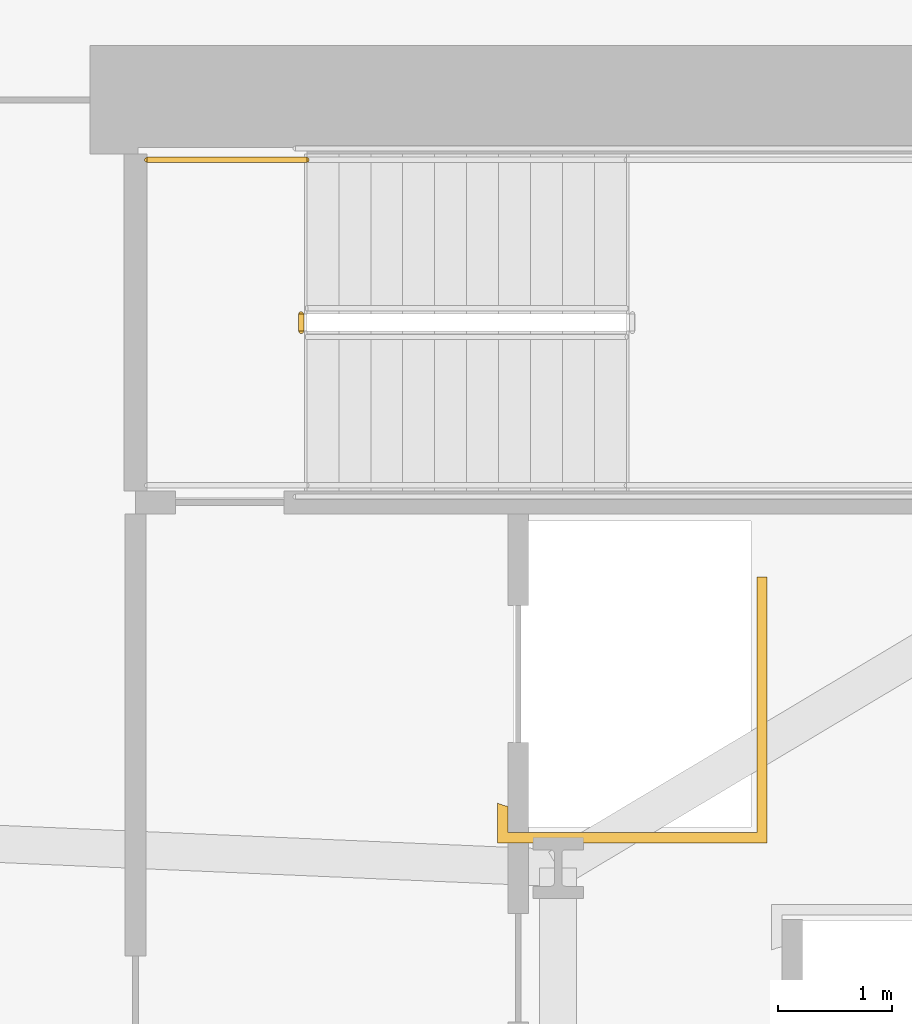
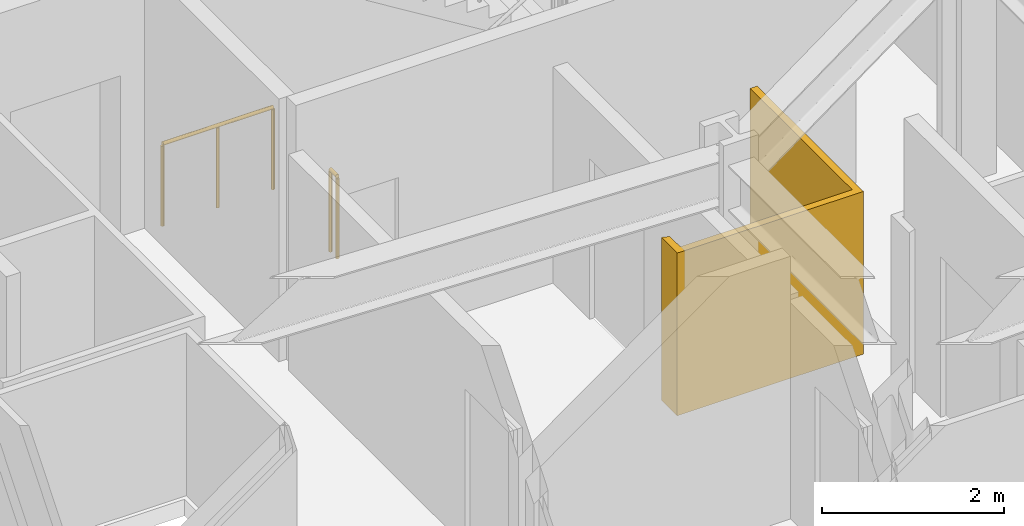
# One storey, part 15 of 19: 2 railings, 1 covering.
"""IFC4 building model written with IfcOpenShell, lengths in metres."""

import ifcopenshell
import ifcopenshell.guid

model = None  # the IFC model being written
_history = None  # IfcOwnerHistory: only IFC2X3 demands one
_inside = {}  # id of a spatial element -> (the spatial element, [elements in it])
_under = {}  # id of a project, library or spatial element -> (it, [spatial elements below it])
_declared = {}  # id of a project -> (the project, [libraries it declares])
_typed = {}  # id of a type object -> (the type object, [elements of that type])
_made_of = {}  # id of a material, layer set ... -> (it, [elements and type objects made of it])


def new_model(schema):
    """Start an empty IFC model of exactly this schema.

    Asked for "IFC4X3", IfcOpenShell would pick the latest addendum, in which some entities
    have other attributes; the version numbers below select the first issue.
    IFC2X3 requires an IfcOwnerHistory on every rooted entity: one is made here for all.
    """
    global model, _history
    if schema == "IFC4X3":
        model = ifcopenshell.file(schema_version=(4, 3, 0, 0))
    else:
        model = ifcopenshell.file(schema=schema)
    _inside.clear()
    _under.clear()
    _declared.clear()
    _typed.clear()
    _made_of.clear()
    _history = None
    if model.schema == "IFC2X3":
        org = make("IfcOrganization", Name="unknown")
        user = make(
            "IfcPersonAndOrganization",
            ThePerson=make("IfcPerson", FamilyName="unknown"),
            TheOrganization=org,
        )
        app = make(
            "IfcApplication",
            ApplicationDeveloper=org,
            Version="unknown",
            ApplicationFullName="unknown",
            ApplicationIdentifier="unknown",
        )
        _history = make(
            "IfcOwnerHistory",
            OwningUser=user,
            OwningApplication=app,
            ChangeAction="ADDED",
            CreationDate=0,
        )
    return model


def make(cls, **values):
    """One entity of the class cls with the attributes given. An attribute that is None is left unset."""
    return model.create_entity(
        cls, **{name: value for name, value in values.items() if value is not None}
    )


def rooted(cls, **values):
    """An entity with a GlobalId (a new one), such as an element, a storey or a relation."""
    return make(cls, GlobalId=ifcopenshell.guid.new(), OwnerHistory=_history, **values)


def si_unit(unit_type, name, prefix=None):
    """IfcSIUnit, for example si_unit("LENGTHUNIT", "METRE", prefix="MILLI")."""
    return make("IfcSIUnit", UnitType=unit_type, Prefix=prefix, Name=name)


def assignment(units):
    """IfcUnitAssignment: the units of a project."""
    return None if units is None else make("IfcUnitAssignment", Units=units)


def point(xyz):
    """IfcCartesianPoint."""
    return None if xyz is None else make("IfcCartesianPoint", Coordinates=xyz)


def direction(xyz):
    """IfcDirection."""
    return None if xyz is None else make("IfcDirection", DirectionRatios=xyz)


def frame(location, z_axis=None, x_axis=None):
    """IfcAxis2Placement3D, a coordinate frame: its origin and axes. An axis left out is left unset."""
    return make(
        "IfcAxis2Placement3D",
        Location=point(location),
        Axis=direction(z_axis),
        RefDirection=direction(x_axis),
    )


def frame_2d(location, x_axis=None):
    """IfcAxis2Placement2D, a coordinate frame in the plane: its origin and x axis."""
    return make(
        "IfcAxis2Placement2D", Location=point(location), RefDirection=direction(x_axis)
    )


def origin():
    """The frame at (0, 0, 0) with its axes left unset."""
    return frame((0.0, 0.0, 0.0))


def origin_2d():
    """The frame at (0, 0) in the plane with its x axis left unset."""
    return frame_2d((0.0, 0.0))


def place(relative_to, where):
    """IfcLocalPlacement: puts the frame where relative to a parent placement (None: the world)."""
    return make(
        "IfcLocalPlacement", PlacementRelTo=relative_to, RelativePlacement=where
    )


def context(
    kind, dimensions, precision=None, world=None, true_north=None, identifier=None
):
    """IfcGeometricRepresentationContext, for example the 3D "Model" context."""
    return make(
        "IfcGeometricRepresentationContext",
        ContextIdentifier=identifier,
        ContextType=kind,
        CoordinateSpaceDimension=dimensions,
        Precision=precision,
        WorldCoordinateSystem=world,
        TrueNorth=true_north,
    )


def subcontext(parent, identifier, kind, view, scale=None):
    """IfcGeometricRepresentationSubContext, for example "Body" below "Model"."""
    return make(
        "IfcGeometricRepresentationSubContext",
        ContextIdentifier=identifier,
        ContextType=kind,
        ParentContext=parent,
        TargetScale=scale,
        TargetView=view,
    )


def project(units=None, contexts=None):
    """IfcProject with its units and contexts."""
    return rooted(
        "IfcProject",
        Name="project",
        RepresentationContexts=contexts,
        UnitsInContext=assignment(units),
    )


def spatial(cls, under=None, at=None, **own):
    """A site, building, storey or space (cls), placed at a placement, below another one or the project."""
    s = rooted(cls, ObjectPlacement=at, **own)
    if under is not None:
        _under.setdefault(under.id(), (under, []))[1].append(s)
    return s


def polyline(points):
    """IfcPolyline through the points."""
    return make("IfcPolyline", Points=[point(p) for p in points])


def profile(cls, at=None, kind="AREA", **sizes):
    """A parametric profile (cls). Its sizes go by their IFC names, for example OverallWidth=200.0."""
    return make(cls, ProfileType=kind, Position=at, **sizes)


def circle(**sizes):
    """IfcCircleProfileDef."""
    return profile("IfcCircleProfileDef", **sizes)


def outline(outer, holes=None, kind="AREA"):
    """IfcArbitraryClosedProfileDef: a profile drawn as a closed curve; with holes, ...WithVoids."""
    if holes is None:
        return make("IfcArbitraryClosedProfileDef", ProfileType=kind, OuterCurve=outer)
    return make(
        "IfcArbitraryProfileDefWithVoids",
        ProfileType=kind,
        OuterCurve=outer,
        InnerCurves=holes,
    )


def extrude(swept, where, along, depth):
    """IfcExtrudedAreaSolid: the profile swept, set in the frame where, extruded along a direction by depth."""
    return make(
        "IfcExtrudedAreaSolid",
        SweptArea=swept,
        Position=where,
        ExtrudedDirection=direction(along),
        Depth=depth,
    )


def shape(context_of_items, identifier, shape_type, items):
    """IfcShapeRepresentation: the items that make up one representation, for example the "Body"."""
    return make(
        "IfcShapeRepresentation",
        ContextOfItems=context_of_items,
        RepresentationIdentifier=identifier,
        RepresentationType=shape_type,
        Items=items,
    )


def material(Name=None, Category=None):
    """IfcMaterial."""
    return make("IfcMaterial", Name=Name, Category=Category)


def layer(
    of_material, thickness, ventilated=None, Name=None, Category=None, Priority=None
):
    """IfcMaterialLayer: one layer of a wall or slab, of a material (None: an air gap)."""
    return make(
        "IfcMaterialLayer",
        Material=of_material,
        LayerThickness=thickness,
        IsVentilated=ventilated,
        Name=Name,
        Category=Category,
        Priority=Priority,
    )


def layer_set(layers, Name=None):
    """IfcMaterialLayerSet."""
    return make("IfcMaterialLayerSet", MaterialLayers=layers, LayerSetName=Name)


def made_of(thing, what):
    """Note that an element or type object is made of a material, layer set ...; save() writes the relation."""
    if what is not None:
        _made_of.setdefault(what.id(), (what, []))[1].append(thing)
    return thing


def type_object(cls, material=None, **own):
    """A type object (cls), such as IfcWallType, which elements share."""
    return made_of(rooted(cls, **own), material)


def element(
    cls,
    number,
    at=None,
    inside=None,
    cuts=None,
    type_object=None,
    material=None,
    context=None,
    identifier="Body",
    shape_type=None,
    held_by="IfcProductDefinitionShape",
    body=None,
    shapes=None,
    **own,
):
    """One element of the class cls, such as IfcWall. Its Tag is "e" and its number.

    at: its placement. inside: the storey or other place that contains it. cuts: it is an
    opening in that element (IfcRelVoidsElement). A single representation is given by context,
    identifier, shape_type and body (its items); several are given by shapes. held_by: the class
    of the entity that holds the representations. save() writes the other relations.
    """
    e = rooted(cls, Tag="e%d" % number, ObjectPlacement=at, **own)
    if body is not None:
        shapes = [shape(context, identifier, shape_type, body)]
    if shapes is not None:
        e.Representation = make(held_by, Representations=shapes)
    if inside is not None:
        _inside.setdefault(inside.id(), (inside, []))[1].append(e)
    if cuts is not None:
        rooted(
            "IfcRelVoidsElement", RelatingBuildingElement=cuts, RelatedOpeningElement=e
        )
    if type_object is not None:
        _typed.setdefault(type_object.id(), (type_object, []))[1].append(e)
    return made_of(e, material)


def aggregate(whole, parts):
    """IfcRelAggregates: a whole, such as a stair, and the parts it consists of."""
    return rooted("IfcRelAggregates", RelatingObject=whole, RelatedObjects=parts)


def save(model, path):
    """Write the relations noted so far, then the file.

    IfcRelAggregates (storeys below a building ...), IfcRelContainedInSpatialStructure (elements
    in a storey), IfcRelDefinesByType, IfcRelAssociatesMaterial and IfcRelDeclares: one each for
    every whole, place, type object, material and project.
    """
    for whole, parts in _under.values():
        aggregate(whole, parts)
    for where, things in _inside.values():
        rooted(
            "IfcRelContainedInSpatialStructure",
            RelatedElements=things,
            RelatingStructure=where,
        )
    for kind, things in _typed.values():
        rooted("IfcRelDefinesByType", RelatedObjects=things, RelatingType=kind)
    for what, things in _made_of.values():
        rooted("IfcRelAssociatesMaterial", RelatedObjects=things, RelatingMaterial=what)
    for by, libraries in _declared.values():
        rooted("IfcRelDeclares", RelatingContext=by, RelatedDefinitions=libraries)
    model.write(path)


model = new_model("IFC4")

# Units and contexts
model_context = context("Model", 3, precision=1e-05, world=origin(), true_north=direction((0.0, 1.0)))
body_context = subcontext(model_context, "Body", "Model", "MODEL_VIEW")
ifc_project = project(units=[si_unit("LENGTHUNIT", "METRE"), si_unit("AREAUNIT", "SQUARE_METRE"), si_unit("VOLUMEUNIT", "CUBIC_METRE"), si_unit("PLANEANGLEUNIT", "RADIAN"), si_unit("MASSUNIT", "GRAM", prefix="KILO")], contexts=[model_context])

# Site, building, storey
site_placement = place(None, origin())
site = spatial("IfcSite", under=ifc_project, at=site_placement, CompositionType="ELEMENT")
building_placement = place(site_placement, origin())
building = spatial("IfcBuilding", under=site, at=building_placement, Name="Valkerne Bourse Tower", CompositionType="ELEMENT")
storey_placement = place(building_placement, frame((0.0, 0.0, 131.39990234375)))
storey = spatial("IfcBuildingStorey", under=building, at=storey_placement, Name="L33", CompositionType="ELEMENT", Elevation=131.39990234375)

# Covering
ifc_material_1 = material(Name="Gypsum Shaftwall Liner Board", Category="gypsum")
ifc_layer = layer(ifc_material_1, 0.080078125)
ifc_layer_set = layer_set([ifc_layer], Name="Gypsum Shaftwall Liner Board")
covering_type = type_object("IfcCoveringType", Name="COV-SHF-CLAD", PredefinedType="CLADDING", material=ifc_layer_set)
covering_placement = place(storey_placement, origin())
element("IfcCovering", 1, at=covering_placement, inside=storey, type_object=covering_type, Name="L33 Hoistway & Riser Shaftwall Liner 10", PredefinedType="CLADDING", context=body_context, shape_type="SweptSolid", body=[
    extrude(outline(polyline([(49.820068359375, 29.1201171875), (49.820068359375, 29.468017578125), (49.827880859375, 29.46435546875), (49.869384765625, 29.449462890625), (49.909912109375, 29.439208984375), (49.909912109375, 29.2099609375), (52.090087890625, 29.2099609375), (52.090087890625, 31.449951171875), (52.179931640625, 31.449951171875), (52.179931640625, 29.1201171875), (49.820068359375, 29.1201171875)])), origin(), (0.0, 0.0, 1.0), 2.18017578125),
])

# Railings
ifc_material_2 = material(Name="Galvanised Painted Steel", Category="steel")
railing_type = type_object("IfcRailingType", Name="RLG-ST-GUARD-1120", PredefinedType="GUARDRAIL", material=ifc_material_2)
railing_1_placement = place(storey_placement, frame((48.10009765625, 33.60009765625, 0.0)))
element("IfcRailing", 2, at=railing_1_placement, inside=storey, type_object=railing_type, Name="L33 ST-2 stair guard 7", PredefinedType="GUARDRAIL", context=body_context, shape_type="SweptSolid", body=[
    extrude(circle(Radius=0.02392578125, at=origin_2d()), frame((0.0, 0.0, 1.09619140625), z_axis=(0.0, 1.0, 0.0), x_axis=(-1.0, 0.0, 0.0)), (0.0, 0.0, 1.0), 0.14990234375),
    extrude(circle(Radius=0.02099609375, at=origin_2d()), origin(), (0.0, 0.0, 1.0), 1.072021484375),
    extrude(circle(Radius=0.02099609375, at=origin_2d()), frame((0.0, 0.14990234375, 0.0)), (0.0, 0.0, 1.0), 1.072021484375),
])
railing_2_placement = place(storey_placement, frame((46.75, 35.10009765625, 0.0)))
element("IfcRailing", 3, at=railing_2_placement, inside=storey, type_object=railing_type, Name="L33 ST-2 stair guard 9", PredefinedType="GUARDRAIL", context=body_context, shape_type="SweptSolid", body=[
    extrude(circle(Radius=0.02392578125, at=origin_2d()), frame((0.0, 0.0, 1.09619140625), z_axis=(1.0, 0.0, 0.0), x_axis=(0.0, 1.0, 0.0)), (0.0, 0.0, 1.0), 1.39990234375),
    extrude(circle(Radius=0.02099609375, at=origin_2d()), origin(), (0.0, 0.0, 1.0), 1.072021484375),
    extrude(circle(Radius=0.02099609375, at=origin_2d()), frame((0.699951171875, 0.0, 0.0)), (0.0, 0.0, 1.0), 1.072021484375),
    extrude(circle(Radius=0.02099609375, at=origin_2d()), frame((1.39990234375, 0.0, 0.0)), (0.0, 0.0, 1.0), 1.072021484375),
])

save(model, "model.ifc")
